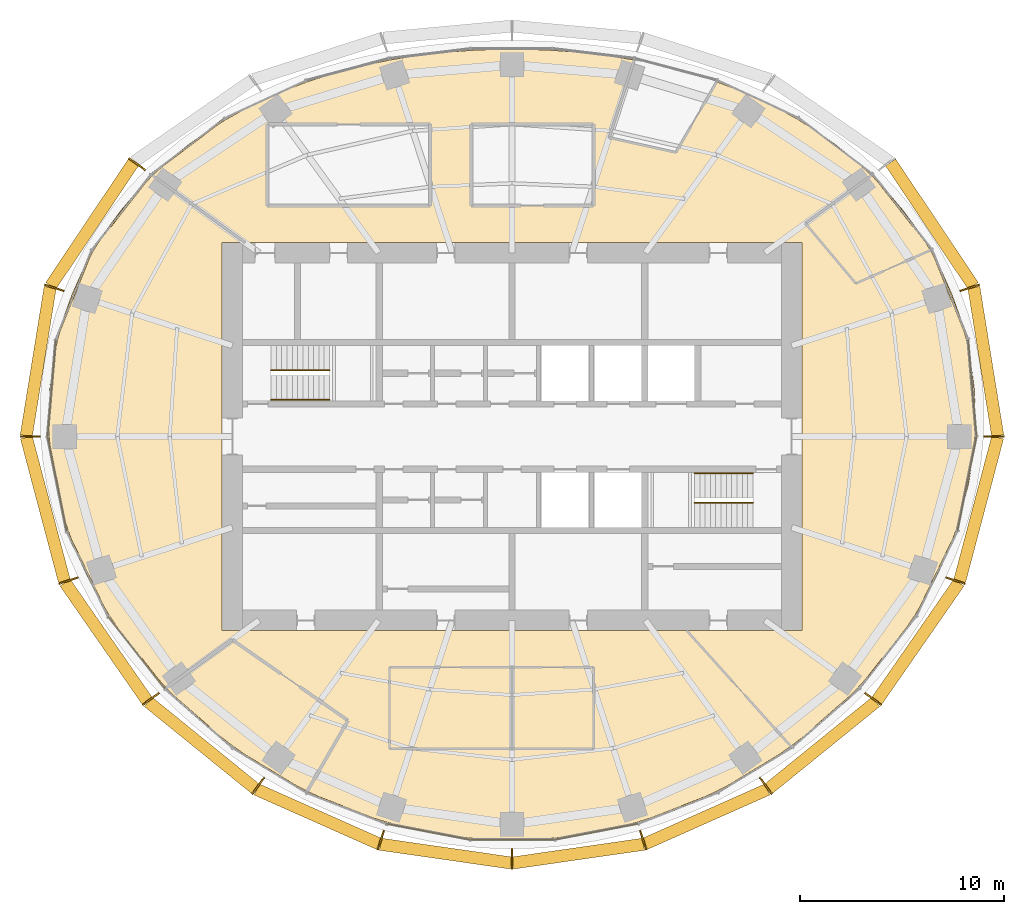
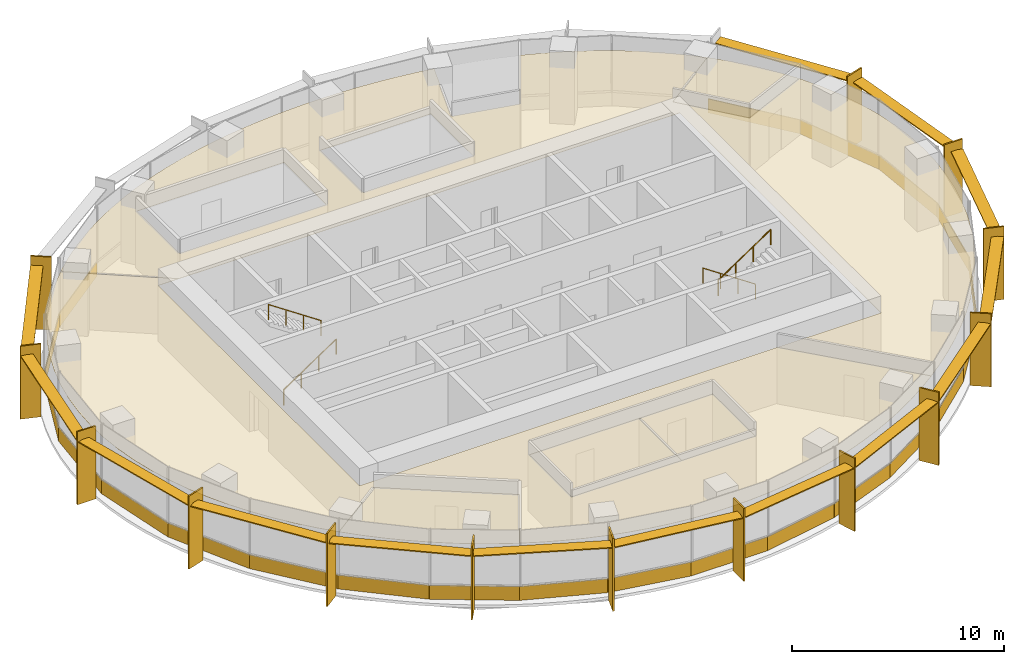
# One storey, part 12 of 13: 28 coverings, 28 shading devices, 4 railings.
"""IFC4 building model written with IfcOpenShell, lengths in metres."""

from ifc_helpers import new_model, si_unit, direction, frame, origin, origin_2d, place, context, subcontext, project, spatial, polyline, rectangle, circle, outline, extrude, material, layer, layer_set, type_object, element, save


model = new_model("IFC4")

# Units and contexts
model_context = context("Model", 3, precision=1e-05, world=origin(), true_north=direction((0.0, 1.0)))
body_context = subcontext(model_context, "Body", "Model", "MODEL_VIEW")
ifc_project = project(units=[si_unit("LENGTHUNIT", "METRE"), si_unit("AREAUNIT", "SQUARE_METRE"), si_unit("VOLUMEUNIT", "CUBIC_METRE"), si_unit("PLANEANGLEUNIT", "RADIAN"), si_unit("MASSUNIT", "GRAM", prefix="KILO")], contexts=[model_context])

# Site, building, storey
site_placement = place(None, origin())
site = spatial("IfcSite", under=ifc_project, at=site_placement, CompositionType="ELEMENT")
building_placement = place(site_placement, origin())
building = spatial("IfcBuilding", under=site, at=building_placement, Name="Marramba Exchange Tower", CompositionType="ELEMENT")
storey_placement = place(building_placement, frame((0.0, 0.0, 268.60009765625)))
storey = spatial("IfcBuildingStorey", under=building, at=storey_placement, Name="L65", CompositionType="ELEMENT", Elevation=268.60009765625)

# Shading devices
ifc_material_1 = material(Name="Aluminium blade, timber-look bronze finish", Category="wood")
ifc_layer_1 = layer(ifc_material_1, 0.080078125)
ifc_layer_set_1 = layer_set([ifc_layer_1], Name="Floor-edge blade 1000x80")
shading_device_type_1 = type_object("IfcShadingDeviceType", Name="Floor-edge blade 1000x80", PredefinedType="USERDEFINED", material=ifc_layer_set_1)
for number, where, z_axis, x_axis, name in (
    (1, (23.60009765625, 0.0, -0.16015625), (0.0, 0.0, 1.0), (1.0, 0.0, 0.0), "Floor-edge blade FB1 L65 TC01"),
    (2, (22.425048828125, 7.286376953125, -0.16015625), (0.0, 0.0, 1.0), (0.951056516295, 0.309016994375, 0.0), "Floor-edge blade FB1 L65 TC02"),
    (3, (-18.361083984375, 13.340087890625, -0.16015625), (0.0, 0.0, 1.0), (-0.809016994375, 0.587785252292, 0.0), "Floor-edge blade FB1 L65 TC09"),
    (4, (-22.425048828125, 7.286376953125, -0.16015625), (0.0, 0.0, 1.0), (-0.951056516295, 0.309016994375, 0.0), "Floor-edge blade FB1 L65 TC10"),
    (5, (-23.60009765625, 0.0, -0.16015625), (0.0, 0.0, 1.0), (-1.0, 0.0, 0.0), "Floor-edge blade FB1 L65 TC11"),
    (6, (-21.72607421875, -7.059326171875, -0.16015625), (0.0, 0.0, 1.0), (-0.951056516295, -0.309016994375, 0.0), "Floor-edge blade FB1 L65 TC12"),
    (7, (-17.690673828125, -12.85302734375, -0.16015625), (0.0, 0.0, 1.0), (-0.809016994375, -0.587785252292, 0.0), "Floor-edge blade FB1 L65 TC13"),
    (8, (-12.4296875, -17.10791015625, -0.16015625), (0.0, 0.0, 1.0), (-0.587785252292, -0.809016994375, 0.0), "Floor-edge blade FB1 L65 TC14"),
    (9, (-6.4248046875, -19.77392578125, -0.16015625), (0.0, 0.0, 1.0), (-0.309016994375, -0.951056516295, 0.0), "Floor-edge blade FB1 L65 TC15"),
    (10, (0.0, -20.696044921875, -0.16015625), (0.0, 0.0, 1.0), (0.0, -1.0, 0.0), "Floor-edge blade FB1 L65 TC16"),
    (11, (6.4248046875, -19.77392578125, -0.16015625), (0.0, 0.0, 1.0), (0.309016994375, -0.951056516295, 0.0), "Floor-edge blade FB1 L65 TC17"),
    (12, (12.4296875, -17.10791015625, -0.16015625), (0.0, 0.0, 1.0), (0.587785252292, -0.809016994375, 0.0), "Floor-edge blade FB1 L65 TC18"),
    (13, (17.690673828125, -12.85302734375, -0.16015625), (0.0, 0.0, 1.0), (0.809016994375, -0.587785252292, 0.0), "Floor-edge blade FB1 L65 TC19"),
    (14, (21.72607421875, -7.059326171875, -0.16015625), (0.0, 0.0, 1.0), (0.951056516295, -0.309016994375, 0.0), "Floor-edge blade FB1 L65 TC20"),
):
    element("IfcShadingDevice", number, at=place(storey_placement, frame(where, z_axis=z_axis, x_axis=x_axis)), inside=storey, type_object=shading_device_type_1, Name=name, ObjectType="FIN", PredefinedType="USERDEFINED", context=body_context, shape_type="SweptSolid", body=[
        extrude(rectangle(XDim=1.0, YDim=0.080078125, at=origin_2d()), origin(), (0.0, 0.0, 1.0), 4.199951171875),
    ])
ifc_material_2 = material(Name="Aluminium sunshade, bronze anodised", Category="aluminium")
ifc_layer_2 = layer(ifc_material_2, 0.06005859375)
ifc_layer_set_2 = layer_set([ifc_layer_2], Name="SUNSHADE blade 600x60")
shading_device_type_2 = type_object("IfcShadingDeviceType", Name="SUNSHADE blade 600x60", PredefinedType="USERDEFINED", material=ifc_layer_set_2)
shading_device_1_placement = place(storey_placement, frame((23.207763671875, 3.674072265625, 3.4599609375), z_axis=(0.0, 0.0, 1.0), x_axis=(-0.159157708434, 0.9872531711, 0.0)))
element("IfcShadingDevice", 15, at=shading_device_1_placement, inside=storey, type_object=shading_device_type_2, Name="Sunshade SS1 L65 bay 01", ObjectType="SUNSHADE", PredefinedType="USERDEFINED", context=body_context, shape_type="SweptSolid", body=[
    extrude(rectangle(XDim=7.363037109375, YDim=0.60009765625, at=origin_2d()), origin(), (0.0, 0.0, 1.0), 0.06005859375),
])
for number, where, z_axis, x_axis, name in (
    (16, (20.569091796875, 10.40283203125, 3.4599609375), (0.0, 0.0, 1.0), (-0.556539553467, 0.830821115179, 0.0), "Sunshade SS1 L65 bay 02"),
    (17, (-20.569091796875, 10.40283203125, 3.4599609375), (0.0, 0.0, 1.0), (-0.556539553467, -0.830821115179, 0.0), "Sunshade SS1 L65 bay 09"),
):
    element("IfcShadingDevice", number, at=place(storey_placement, frame(where, z_axis=z_axis, x_axis=x_axis)), inside=storey, type_object=shading_device_type_2, Name=name, ObjectType="SUNSHADE", PredefinedType="USERDEFINED", context=body_context, shape_type="SweptSolid", body=[
        extrude(rectangle(XDim=7.2734375, YDim=0.60009765625, at=origin_2d()), origin(), (0.0, 0.0, 1.0), 0.06005859375),
    ])
shading_device_2_placement = place(storey_placement, frame((-23.207763671875, 3.674072265625, 3.4599609375), z_axis=(0.0, 0.0, 1.0), x_axis=(-0.159157708434, -0.9872531711, 0.0)))
element("IfcShadingDevice", 18, at=shading_device_2_placement, inside=storey, type_object=shading_device_type_2, Name="Sunshade SS1 L65 bay 10", ObjectType="SUNSHADE", PredefinedType="USERDEFINED", context=body_context, shape_type="SweptSolid", body=[
    extrude(rectangle(XDim=7.363037109375, YDim=0.60009765625, at=origin_2d()), origin(), (0.0, 0.0, 1.0), 0.06005859375),
])
shading_device_3_placement = place(storey_placement, frame((-22.858154296875, -3.560546875, 3.4599609375), z_axis=(0.0, 0.0, 1.0), x_axis=(0.25571852004, -0.966751280583, 0.0)))
element("IfcShadingDevice", 19, at=shading_device_3_placement, inside=storey, type_object=shading_device_type_2, Name="Sunshade SS1 L65 bay 11", ObjectType="SUNSHADE", PredefinedType="USERDEFINED", context=body_context, shape_type="SweptSolid", body=[
    extrude(rectangle(XDim=7.285888671875, YDim=0.60009765625, at=origin_2d()), origin(), (0.0, 0.0, 1.0), 0.06005859375),
])
shading_device_4_placement = place(storey_placement, frame((-19.884521484375, -10.0458984375, 3.4599609375), z_axis=(0.0, 0.0, 1.0), x_axis=(0.570557728211, -0.821257498461, 0.0)))
element("IfcShadingDevice", 20, at=shading_device_4_placement, inside=storey, type_object=shading_device_type_2, Name="Sunshade SS1 L65 bay 12", ObjectType="SUNSHADE", PredefinedType="USERDEFINED", context=body_context, shape_type="SweptSolid", body=[
    extrude(rectangle(XDim=7.042724609375, YDim=0.60009765625, at=origin_2d()), origin(), (0.0, 0.0, 1.0), 0.06005859375),
])
shading_device_5_placement = place(storey_placement, frame((-15.199951171875, -15.1201171875, 3.4599609375), z_axis=(0.0, 0.0, 1.0), x_axis=(0.77692769033, -0.629589837909, 0.0)))
element("IfcShadingDevice", 21, at=shading_device_5_placement, inside=storey, type_object=shading_device_type_2, Name="Sunshade SS1 L65 bay 13", ObjectType="SUNSHADE", PredefinedType="USERDEFINED", context=body_context, shape_type="SweptSolid", body=[
    extrude(rectangle(XDim=6.74853515625, YDim=0.60009765625, at=origin_2d()), origin(), (0.0, 0.0, 1.0), 0.06005859375),
])
shading_device_6_placement = place(storey_placement, frame((-9.51708984375, -18.616943359375, 3.4599609375), z_axis=(0.0, 0.0, 1.0), x_axis=(0.913771139733, -0.406229373864, 0.0)))
element("IfcShadingDevice", 22, at=shading_device_6_placement, inside=storey, type_object=shading_device_type_2, Name="Sunshade SS1 L65 bay 14", ObjectType="SUNSHADE", PredefinedType="USERDEFINED", context=body_context, shape_type="SweptSolid", body=[
    extrude(rectangle(XDim=6.552490234375, YDim=0.60009765625, at=origin_2d()), origin(), (0.0, 0.0, 1.0), 0.06005859375),
])
for number, where, z_axis, x_axis, name in (
    (23, (-3.243408203125, -20.429931640625, 3.4599609375), (0.0, 0.0, 1.0), (0.989836541125, -0.142209781145, 0.0), "Sunshade SS1 L65 bay 15"),
    (24, (3.243408203125, -20.429931640625, 3.4599609375), (0.0, 0.0, 1.0), (0.989836541125, 0.142209781145, 0.0), "Sunshade SS1 L65 bay 16"),
):
    element("IfcShadingDevice", number, at=place(storey_placement, frame(where, z_axis=z_axis, x_axis=x_axis)), inside=storey, type_object=shading_device_type_2, Name=name, ObjectType="SUNSHADE", PredefinedType="USERDEFINED", context=body_context, shape_type="SweptSolid", body=[
        extrude(rectangle(XDim=6.473388671875, YDim=0.60009765625, at=origin_2d()), origin(), (0.0, 0.0, 1.0), 0.06005859375),
    ])
shading_device_7_placement = place(storey_placement, frame((9.51708984375, -18.616943359375, 3.4599609375), z_axis=(0.0, 0.0, 1.0), x_axis=(0.913771139733, 0.406229373864, 0.0)))
element("IfcShadingDevice", 25, at=shading_device_7_placement, inside=storey, type_object=shading_device_type_2, Name="Sunshade SS1 L65 bay 17", ObjectType="SUNSHADE", PredefinedType="USERDEFINED", context=body_context, shape_type="SweptSolid", body=[
    extrude(rectangle(XDim=6.552490234375, YDim=0.60009765625, at=origin_2d()), origin(), (0.0, 0.0, 1.0), 0.06005859375),
])
shading_device_8_placement = place(storey_placement, frame((15.199951171875, -15.1201171875, 3.4599609375), z_axis=(0.0, 0.0, 1.0), x_axis=(0.77692769033, 0.629589837909, 0.0)))
element("IfcShadingDevice", 26, at=shading_device_8_placement, inside=storey, type_object=shading_device_type_2, Name="Sunshade SS1 L65 bay 18", ObjectType="SUNSHADE", PredefinedType="USERDEFINED", context=body_context, shape_type="SweptSolid", body=[
    extrude(rectangle(XDim=6.74853515625, YDim=0.60009765625, at=origin_2d()), origin(), (0.0, 0.0, 1.0), 0.06005859375),
])
shading_device_9_placement = place(storey_placement, frame((19.884521484375, -10.0458984375, 3.4599609375), z_axis=(0.0, 0.0, 1.0), x_axis=(0.570557728211, 0.821257498461, 0.0)))
element("IfcShadingDevice", 27, at=shading_device_9_placement, inside=storey, type_object=shading_device_type_2, Name="Sunshade SS1 L65 bay 19", ObjectType="SUNSHADE", PredefinedType="USERDEFINED", context=body_context, shape_type="SweptSolid", body=[
    extrude(rectangle(XDim=7.042724609375, YDim=0.60009765625, at=origin_2d()), origin(), (0.0, 0.0, 1.0), 0.06005859375),
])
shading_device_10_placement = place(storey_placement, frame((22.858154296875, -3.560546875, 3.4599609375), z_axis=(0.0, 0.0, 1.0), x_axis=(0.25571852004, 0.966751280583, 0.0)))
element("IfcShadingDevice", 28, at=shading_device_10_placement, inside=storey, type_object=shading_device_type_2, Name="Sunshade SS1 L65 bay 20", ObjectType="SUNSHADE", PredefinedType="USERDEFINED", context=body_context, shape_type="SweptSolid", body=[
    extrude(rectangle(XDim=7.285888671875, YDim=0.60009765625, at=origin_2d()), origin(), (0.0, 0.0, 1.0), 0.06005859375),
])

# Coverings
ifc_material_3 = material(Name="Aluminium spandrel panel, bronze anodised, insulated", Category="aluminium")
ifc_layer_3 = layer(ifc_material_3, 0.050048828125)
ifc_layer_set_3 = layer_set([ifc_layer_3], Name="Spandrel panel 800")
covering_type_1 = type_object("IfcCoveringType", Name="Spandrel panel 800", PredefinedType="CLADDING", material=ifc_layer_set_3)
covering_1_placement = place(storey_placement, frame((22.546142578125, 2.37451171875, 0.0), z_axis=(0.0, 0.0, 1.0), x_axis=(-0.085574001482, 0.996331817353, 0.0)))
element("IfcCovering", 29, at=covering_1_placement, inside=storey, type_object=covering_type_1, Name="Spandrel panel SP1 L65 F01", PredefinedType="CLADDING", context=body_context, shape_type="SweptSolid", body=[
    extrude(rectangle(XDim=4.766357421875, YDim=0.050048828125, at=origin_2d()), origin(), (0.0, 0.0, 1.0), 0.800048828125),
])
covering_2_placement = place(storey_placement, frame((21.455810546875, 6.95361328125, 0.0), z_axis=(0.0, 0.0, 1.0), x_axis=(-0.37298308637, 0.927838141748, 0.0)))
element("IfcCovering", 30, at=covering_2_placement, inside=storey, type_object=covering_type_1, Name="Spandrel panel SP1 L65 F02", PredefinedType="CLADDING", context=body_context, shape_type="SweptSolid", body=[
    extrude(rectangle(XDim=4.752197265625, YDim=0.050048828125, at=origin_2d()), origin(), (0.0, 0.0, 1.0), 0.800048828125),
])
covering_3_placement = place(storey_placement, frame((19.12158203125, 10.999267578125, 0.0), z_axis=(0.0, 0.0, 1.0), x_axis=(-0.618222858348, 0.786002860946, 0.0)))
element("IfcCovering", 31, at=covering_3_placement, inside=storey, type_object=covering_type_1, Name="Spandrel panel SP1 L65 F03", PredefinedType="CLADDING", context=body_context, shape_type="SweptSolid", body=[
    extrude(rectangle(XDim=4.684814453125, YDim=0.050048828125, at=origin_2d()), origin(), (0.0, 0.0, 1.0), 0.800048828125),
])
covering_4_placement = place(storey_placement, frame((-15.859375, 14.2197265625, 0.0), z_axis=(0.0, 0.0, 1.0), x_axis=(-0.796058898731, -0.605219158447, 0.0)))
element("IfcCovering", 32, at=covering_4_placement, inside=storey, type_object=covering_type_1, Name="Spandrel panel SP1 L65 F12", PredefinedType="CLADDING", context=body_context, shape_type="SweptSolid", body=[
    extrude(rectangle(XDim=4.5576171875, YDim=0.050048828125, at=origin_2d()), origin(), (0.0, 0.0, 1.0), 0.800048828125),
])
covering_5_placement = place(storey_placement, frame((-19.12158203125, 10.999267578125, 0.0), z_axis=(0.0, 0.0, 1.0), x_axis=(-0.618222858348, -0.786002860946, 0.0)))
element("IfcCovering", 33, at=covering_5_placement, inside=storey, type_object=covering_type_1, Name="Spandrel panel SP1 L65 F13", PredefinedType="CLADDING", context=body_context, shape_type="SweptSolid", body=[
    extrude(rectangle(XDim=4.684814453125, YDim=0.050048828125, at=origin_2d()), origin(), (0.0, 0.0, 1.0), 0.800048828125),
])
covering_6_placement = place(storey_placement, frame((-21.455810546875, 6.95361328125, 0.0), z_axis=(0.0, 0.0, 1.0), x_axis=(-0.37298308637, -0.927838141748, 0.0)))
element("IfcCovering", 34, at=covering_6_placement, inside=storey, type_object=covering_type_1, Name="Spandrel panel SP1 L65 F14", PredefinedType="CLADDING", context=body_context, shape_type="SweptSolid", body=[
    extrude(rectangle(XDim=4.752197265625, YDim=0.050048828125, at=origin_2d()), origin(), (0.0, 0.0, 1.0), 0.800048828125),
])
covering_7_placement = place(storey_placement, frame((-22.546142578125, 2.37451171875, 0.0), z_axis=(0.0, 0.0, 1.0), x_axis=(-0.085574001482, -0.996331817353, 0.0)))
element("IfcCovering", 35, at=covering_7_placement, inside=storey, type_object=covering_type_1, Name="Spandrel panel SP1 L65 F15", PredefinedType="CLADDING", context=body_context, shape_type="SweptSolid", body=[
    extrude(rectangle(XDim=4.766357421875, YDim=0.050048828125, at=origin_2d()), origin(), (0.0, 0.0, 1.0), 0.800048828125),
])
covering_8_placement = place(storey_placement, frame((-22.282470703125, -2.318359375, 0.0), z_axis=(0.0, 0.0, 1.0), x_axis=(0.197670531369, -0.980268514759, 0.0)))
element("IfcCovering", 36, at=covering_8_placement, inside=storey, type_object=covering_type_1, Name="Spandrel panel SP1 L65 F16", PredefinedType="CLADDING", context=body_context, shape_type="SweptSolid", body=[
    extrude(rectangle(XDim=4.730224609375, YDim=0.050048828125, at=origin_2d()), origin(), (0.0, 0.0, 1.0), 0.800048828125),
])
covering_9_placement = place(storey_placement, frame((-20.802490234375, -6.723876953125, 0.0), z_axis=(0.0, 0.0, 1.0), x_axis=(0.436514592932, -0.89969717692, 0.0)))
element("IfcCovering", 37, at=covering_9_placement, inside=storey, type_object=covering_type_1, Name="Spandrel panel SP1 L65 F17", PredefinedType="CLADDING", context=body_context, shape_type="SweptSolid", body=[
    extrude(rectangle(XDim=4.639404296875, YDim=0.050048828125, at=origin_2d()), origin(), (0.0, 0.0, 1.0), 0.800048828125),
])
covering_10_placement = place(storey_placement, frame((-18.396484375, -10.582275390625, 0.0), z_axis=(0.0, 0.0, 1.0), x_axis=(0.618290638357, -0.785949544513, 0.0)))
element("IfcCovering", 38, at=covering_10_placement, inside=storey, type_object=covering_type_1, Name="Spandrel panel SP1 L65 F18", PredefinedType="CLADDING", context=body_context, shape_type="SweptSolid", body=[
    extrude(rectangle(XDim=4.50732421875, YDim=0.050048828125, at=origin_2d()), origin(), (0.0, 0.0, 1.0), 0.800048828125),
])
covering_11_placement = place(storey_placement, frame((-15.358154296875, -13.791748046875, 0.0), z_axis=(0.0, 0.0, 1.0), x_axis=(0.752751054625, -0.658305286141, 0.0)))
element("IfcCovering", 39, at=covering_11_placement, inside=storey, type_object=covering_type_1, Name="Spandrel panel SP1 L65 F19", PredefinedType="CLADDING", context=body_context, shape_type="SweptSolid", body=[
    extrude(rectangle(XDim=4.3701171875, YDim=0.050048828125, at=origin_2d()), origin(), (0.0, 0.0, 1.0), 0.800048828125),
])
covering_12_placement = place(storey_placement, frame((-11.89208984375, -16.336669921875, 0.0), z_axis=(0.0, 0.0, 1.0), x_axis=(0.854704332048, -0.519115117077, 0.0)))
element("IfcCovering", 40, at=covering_12_placement, inside=storey, type_object=covering_type_1, Name="Spandrel panel SP1 L65 F20", PredefinedType="CLADDING", context=body_context, shape_type="SweptSolid", body=[
    extrude(rectangle(XDim=4.261962890625, YDim=0.050048828125, at=origin_2d()), origin(), (0.0, 0.0, 1.0), 0.800048828125),
])
covering_13_placement = place(storey_placement, frame((-8.116455078125, -18.2041015625, 0.0), z_axis=(0.0, 0.0, 1.0), x_axis=(0.931785135173, -0.363010277914, 0.0)))
element("IfcCovering", 41, at=covering_13_placement, inside=storey, type_object=covering_type_1, Name="Spandrel panel SP1 L65 F21", PredefinedType="CLADDING", context=body_context, shape_type="SweptSolid", body=[
    extrude(rectangle(XDim=4.194580078125, YDim=0.050048828125, at=origin_2d()), origin(), (0.0, 0.0, 1.0), 0.800048828125),
])
covering_14_placement = place(storey_placement, frame((-4.118896484375, -19.356201171875, 0.0), z_axis=(0.0, 0.0, 1.0), x_axis=(0.982193292652, -0.187873190928, 0.0)))
element("IfcCovering", 42, at=covering_14_placement, inside=storey, type_object=covering_type_1, Name="Spandrel panel SP1 L65 F22", PredefinedType="CLADDING", context=body_context, shape_type="SweptSolid", body=[
    extrude(rectangle(XDim=4.160888671875, YDim=0.050048828125, at=origin_2d()), origin(), (0.0, 0.0, 1.0), 0.800048828125),
])
covering_15_placement = place(storey_placement, frame((0.0, -19.7470703125, 0.0), z_axis=(0.0, 0.0, 1.0), x_axis=(1.0, 0.0, 0.0)))
element("IfcCovering", 43, at=covering_15_placement, inside=storey, type_object=covering_type_1, Name="Spandrel panel SP1 L65 F23", PredefinedType="CLADDING", context=body_context, shape_type="SweptSolid", body=[
    extrude(rectangle(XDim=4.151123046875, YDim=0.050048828125, at=origin_2d()), origin(), (0.0, 0.0, 1.0), 0.800048828125),
])
covering_16_placement = place(storey_placement, frame((4.118896484375, -19.356201171875, 0.0), z_axis=(0.0, 0.0, 1.0), x_axis=(0.982193292652, 0.187873190928, 0.0)))
element("IfcCovering", 44, at=covering_16_placement, inside=storey, type_object=covering_type_1, Name="Spandrel panel SP1 L65 F24", PredefinedType="CLADDING", context=body_context, shape_type="SweptSolid", body=[
    extrude(rectangle(XDim=4.160888671875, YDim=0.050048828125, at=origin_2d()), origin(), (0.0, 0.0, 1.0), 0.800048828125),
])
covering_17_placement = place(storey_placement, frame((8.116455078125, -18.2041015625, 0.0), z_axis=(0.0, 0.0, 1.0), x_axis=(0.931785135173, 0.363010277914, 0.0)))
element("IfcCovering", 45, at=covering_17_placement, inside=storey, type_object=covering_type_1, Name="Spandrel panel SP1 L65 F25", PredefinedType="CLADDING", context=body_context, shape_type="SweptSolid", body=[
    extrude(rectangle(XDim=4.194580078125, YDim=0.050048828125, at=origin_2d()), origin(), (0.0, 0.0, 1.0), 0.800048828125),
])
covering_18_placement = place(storey_placement, frame((11.89208984375, -16.336669921875, 0.0), z_axis=(0.0, 0.0, 1.0), x_axis=(0.854704332048, 0.519115117077, 0.0)))
element("IfcCovering", 46, at=covering_18_placement, inside=storey, type_object=covering_type_1, Name="Spandrel panel SP1 L65 F26", PredefinedType="CLADDING", context=body_context, shape_type="SweptSolid", body=[
    extrude(rectangle(XDim=4.261962890625, YDim=0.050048828125, at=origin_2d()), origin(), (0.0, 0.0, 1.0), 0.800048828125),
])
covering_19_placement = place(storey_placement, frame((15.358154296875, -13.791748046875, 0.0), z_axis=(0.0, 0.0, 1.0), x_axis=(0.752751054625, 0.658305286141, 0.0)))
element("IfcCovering", 47, at=covering_19_placement, inside=storey, type_object=covering_type_1, Name="Spandrel panel SP1 L65 F27", PredefinedType="CLADDING", context=body_context, shape_type="SweptSolid", body=[
    extrude(rectangle(XDim=4.3701171875, YDim=0.050048828125, at=origin_2d()), origin(), (0.0, 0.0, 1.0), 0.800048828125),
])
covering_20_placement = place(storey_placement, frame((18.396484375, -10.582275390625, 0.0), z_axis=(0.0, 0.0, 1.0), x_axis=(0.618290638357, 0.785949544513, 0.0)))
element("IfcCovering", 48, at=covering_20_placement, inside=storey, type_object=covering_type_1, Name="Spandrel panel SP1 L65 F28", PredefinedType="CLADDING", context=body_context, shape_type="SweptSolid", body=[
    extrude(rectangle(XDim=4.50732421875, YDim=0.050048828125, at=origin_2d()), origin(), (0.0, 0.0, 1.0), 0.800048828125),
])
covering_21_placement = place(storey_placement, frame((20.802490234375, -6.723876953125, 0.0), z_axis=(0.0, 0.0, 1.0), x_axis=(0.436514592932, 0.89969717692, 0.0)))
element("IfcCovering", 49, at=covering_21_placement, inside=storey, type_object=covering_type_1, Name="Spandrel panel SP1 L65 F29", PredefinedType="CLADDING", context=body_context, shape_type="SweptSolid", body=[
    extrude(rectangle(XDim=4.639404296875, YDim=0.050048828125, at=origin_2d()), origin(), (0.0, 0.0, 1.0), 0.800048828125),
])
covering_22_placement = place(storey_placement, frame((22.282470703125, -2.318359375, 0.0), z_axis=(0.0, 0.0, 1.0), x_axis=(0.197670531369, 0.980268514759, 0.0)))
element("IfcCovering", 50, at=covering_22_placement, inside=storey, type_object=covering_type_1, Name="Spandrel panel SP1 L65 F30", PredefinedType="CLADDING", context=body_context, shape_type="SweptSolid", body=[
    extrude(rectangle(XDim=4.730224609375, YDim=0.050048828125, at=origin_2d()), origin(), (0.0, 0.0, 1.0), 0.800048828125),
])

# Railings
ifc_material_4 = material(Name="Stainless steel handrail", Category="steel")
railing_type = type_object("IfcRailingType", Name="Stair handrail 900", PredefinedType="HANDRAIL", material=ifc_material_4)
railing_1_placement = place(storey_placement, frame((-11.800048828125, 1.800048828125, 0.1748046875)))
element("IfcRailing", 51, at=railing_1_placement, inside=storey, type_object=railing_type, Name="Handrail HR1 ST1 L65 flight 1", PredefinedType="HANDRAIL", context=body_context, shape_type="SweptSolid", body=[
    extrude(circle(Radius=0.02392578125, at=origin_2d()), frame((0.0, 0.0, 0.8759765625), z_axis=(0.829590901723, 0.0, 0.558371682465), x_axis=(0.0, 1.0, 0.0)), (0.0, 0.0, 1.0), 3.447509765625),
    extrude(circle(Radius=0.02099609375, at=origin_2d()), origin(), (0.0, 0.0, 1.0), 0.851806640625),
    extrude(circle(Radius=0.02099609375, at=origin_2d()), frame((0.953369140625, 0.0, 0.6416015625)), (0.0, 0.0, 1.0), 0.851806640625),
    extrude(circle(Radius=0.02099609375, at=origin_2d()), frame((1.90673828125, 0.0, 1.283447265625)), (0.0, 0.0, 1.0), 0.851806640625),
    extrude(circle(Radius=0.02099609375, at=origin_2d()), frame((2.860107421875, 0.0, 1.925048828125)), (0.0, 0.0, 1.0), 0.851806640625),
])
for number, where, name in (
    (52, (-8.93994140625, 3.25, 2.27490234375), "Handrail HR1 ST1 L65 flight 2"),
    (53, (11.800048828125, -1.800048828125, 0.1748046875), "Handrail HR1 ST2 L65 flight 1"),
):
    element("IfcRailing", number, at=place(storey_placement, frame(where)), inside=storey, type_object=railing_type, Name=name, PredefinedType="HANDRAIL", context=body_context, shape_type="SweptSolid", body=[
        extrude(circle(Radius=0.02392578125, at=origin_2d()), frame((0.0, 0.0, 0.8759765625), z_axis=(-0.829590901723, 0.0, 0.558371682465), x_axis=(0.0, -1.0, 0.0)), (0.0, 0.0, 1.0), 3.447509765625),
        extrude(circle(Radius=0.02099609375, at=origin_2d()), origin(), (0.0, 0.0, 1.0), 0.851806640625),
        extrude(circle(Radius=0.02099609375, at=origin_2d()), frame((-0.953369140625, 0.0, 0.6416015625)), (0.0, 0.0, 1.0), 0.851806640625),
        extrude(circle(Radius=0.02099609375, at=origin_2d()), frame((-1.90673828125, 0.0, 1.283447265625)), (0.0, 0.0, 1.0), 0.851806640625),
        extrude(circle(Radius=0.02099609375, at=origin_2d()), frame((-2.860107421875, 0.0, 1.925048828125)), (0.0, 0.0, 1.0), 0.851806640625),
    ])
railing_2_placement = place(storey_placement, frame((8.93994140625, -3.25, 2.27490234375)))
element("IfcRailing", 54, at=railing_2_placement, inside=storey, type_object=railing_type, Name="Handrail HR1 ST2 L65 flight 2", PredefinedType="HANDRAIL", context=body_context, shape_type="SweptSolid", body=[
    extrude(circle(Radius=0.02392578125, at=origin_2d()), frame((0.0, 0.0, 0.8759765625), z_axis=(0.829590901723, 0.0, 0.558371682465), x_axis=(0.0, 1.0, 0.0)), (0.0, 0.0, 1.0), 3.447509765625),
    extrude(circle(Radius=0.02099609375, at=origin_2d()), origin(), (0.0, 0.0, 1.0), 0.851806640625),
    extrude(circle(Radius=0.02099609375, at=origin_2d()), frame((0.953369140625, 0.0, 0.6416015625)), (0.0, 0.0, 1.0), 0.851806640625),
    extrude(circle(Radius=0.02099609375, at=origin_2d()), frame((1.90673828125, 0.0, 1.283447265625)), (0.0, 0.0, 1.0), 0.851806640625),
    extrude(circle(Radius=0.02099609375, at=origin_2d()), frame((2.860107421875, 0.0, 1.925048828125)), (0.0, 0.0, 1.0), 0.851806640625),
])

# Coverings
ifc_material_5 = material(Name="Mineral fibre ceiling tiles", Category="gypsum")
ifc_layer_4 = layer(ifc_material_5, 0.02001953125)
ifc_layer_set_4 = layer_set([ifc_layer_4], Name="Suspended ceiling 20")
covering_type_2 = type_object("IfcCoveringType", Name="Suspended ceiling 20", PredefinedType="CEILING", material=ifc_layer_set_4)
covering_23_placement = place(storey_placement, frame((0.0, 0.0, 3.199951171875)))
element("IfcCovering", 55, at=covering_23_placement, inside=storey, type_object=covering_type_2, Name="Ceiling CL1 L65 Chief Executive Support Office", PredefinedType="CEILING", context=body_context, shape_type="SweptSolid", body=[
    extrude(outline(polyline([(14.199951171875, 9.5), (-13.07568359375, 9.5), (-17.608642578125, 12.79345703125), (-16.756591796875, 13.569091796875), (-15.865478515625, 14.285400390625), (-14.94189453125, 14.94189453125), (-13.99169921875, 15.539306640625), (-13.020751953125, 16.079345703125), (-12.033935546875, 16.563232421875), (-11.035888671875, 16.993896484375), (-10.030517578125, 17.37353515625), (-9.021240234375, 17.705078125), (-8.010498046875, 17.99169921875), (-7.0, 18.23583984375), (-5.99169921875, 18.44091796875), (-4.986328125, 18.609375), (-3.984130859375, 18.74365234375), (-2.98486328125, 18.845703125), (-1.98828125, 18.91748046875), (-0.99365234375, 18.9599609375), (0.0, 18.97412109375), (0.99365234375, 18.9599609375), (1.98828125, 18.91748046875), (2.98486328125, 18.845703125), (3.984130859375, 18.74365234375), (4.986328125, 18.609375), (5.99169921875, 18.44091796875), (4.755615234375, 14.63671875), (8.030517578125, 13.909423828125), (10.030517578125, 17.37353515625), (11.035888671875, 16.993896484375), (12.033935546875, 16.563232421875), (13.020751953125, 16.079345703125), (13.99169921875, 15.539306640625), (14.94189453125, 14.94189453125), (15.865478515625, 14.285400390625), (16.756591796875, 13.569091796875), (17.608642578125, 12.79345703125), (14.37255859375, 10.4423828125), (16.84228515625, 7.498779296875), (20.49658203125, 9.125732421875), (21.056640625, 8.0830078125), (21.540771484375, 6.9990234375), (21.9443359375, 5.8798828125), (22.263916015625, 4.732421875), (22.4970703125, 3.563232421875), (22.642333984375, 2.3798828125), (22.69970703125, 1.189697265625), (22.669921875, 0.0), (22.555419921875, -1.18212890625), (22.35888671875, -2.35009765625), (22.08447265625, -3.497802734375), (21.73681640625, -4.620361328125), (21.32080078125, -5.712890625), (20.841796875, -6.77197265625), (20.305419921875, -7.79443359375), (19.716796875, -8.7783203125), (19.081298828125, -9.722412109375), (18.403564453125, -10.625244140625), (17.68798828125, -11.48681640625), (16.938232421875, -12.306396484375), (16.158203125, -13.08447265625), (15.35009765625, -13.8212890625), (14.5166015625, -14.5166015625), (13.659912109375, -15.1708984375), (8.5537109375, -9.5), (14.199951171875, -9.5), (14.199951171875, 9.5)]), holes=[polyline([(-2.0, 11.300048828125), (4.0, 11.300048828125), (4.0, 15.300048828125), (-2.0, 15.300048828125), (-2.0, 11.300048828125)]), polyline([(-12.0, 11.300048828125), (-4.0, 11.300048828125), (-4.0, 15.300048828125), (-12.0, 15.300048828125), (-12.0, 11.300048828125)])]), origin(), (0.0, 0.0, 1.0), 0.02001953125),
])
covering_24_placement = place(storey_placement, frame((0.0, 0.0, 3.199951171875)))
element("IfcCovering", 56, at=covering_24_placement, inside=storey, type_object=covering_type_2, Name="Ceiling CL1 L65 Company Secretariat Office", PredefinedType="CEILING", context=body_context, shape_type="SweptSolid", body=[
    extrude(outline(polyline([(-14.199951171875, -9.5), (8.5537109375, -9.5), (10.764404296875, -11.955078125), (13.659912109375, -15.1708984375), (12.781494140625, -15.783935546875), (11.883056640625, -16.355712890625), (10.9658203125, -16.885498046875), (10.030517578125, -17.37353515625), (9.0791015625, -17.818603515625), (8.1123046875, -18.22021484375), (7.131103515625, -18.577392578125), (6.137451171875, -18.889404296875), (5.132568359375, -19.155029296875), (4.1181640625, -19.373779296875), (3.095703125, -19.544921875), (2.067138671875, -19.66748046875), (1.03466796875, -19.741455078125), (0.0, -19.76611328125), (-1.03466796875, -19.741455078125), (-2.067138671875, -19.66748046875), (-3.095703125, -19.544921875), (-4.1181640625, -19.373779296875), (-5.132568359375, -19.155029296875), (-6.137451171875, -18.889404296875), (-7.131103515625, -18.577392578125), (-8.1123046875, -18.22021484375), (-9.0791015625, -17.818603515625), (-10.030517578125, -17.37353515625), (-8.030517578125, -13.909423828125), (-13.7021484375, -9.955322265625), (-16.938232421875, -12.306396484375), (-17.68798828125, -11.48681640625), (-18.403564453125, -10.625244140625), (-19.081298828125, -9.722412109375), (-19.716796875, -8.7783203125), (-20.305419921875, -7.79443359375), (-20.841796875, -6.77197265625), (-21.32080078125, -5.712890625), (-21.73681640625, -4.620361328125), (-22.08447265625, -3.497802734375), (-22.35888671875, -2.35009765625), (-22.555419921875, -1.18212890625), (-22.669921875, 0.0), (-22.69970703125, 1.189697265625), (-22.642333984375, 2.3798828125), (-22.4970703125, 3.563232421875), (-22.263916015625, 4.732421875), (-21.9443359375, 5.8798828125), (-21.540771484375, 6.9990234375), (-21.056640625, 8.0830078125), (-20.49658203125, 9.125732421875), (-19.86572265625, 10.1220703125), (-19.169921875, 11.067626953125), (-18.415283203125, 11.958984375), (-17.608642578125, 12.79345703125), (-14.10986328125, 10.25146484375), (-13.07568359375, 9.5), (-14.199951171875, 9.5), (-14.199951171875, -9.5)]), holes=[polyline([(-6.0, -15.300048828125), (0.0, -15.300048828125), (4.0, -15.300048828125), (4.0, -11.300048828125), (0.0, -11.300048828125), (-6.0, -11.300048828125), (-6.0, -15.300048828125)])]), origin(), (0.0, 0.0, 1.0), 0.02001953125),
])
covering_25_placement = place(storey_placement, frame((0.0, 0.0, 3.199951171875)))
element("IfcCovering", 57, at=covering_25_placement, inside=storey, type_object=covering_type_2, Name="Ceiling CL1 L65 Executive Office 2", PredefinedType="CEILING", context=body_context, shape_type="SweptSolid", body=[
    extrude(outline(polyline([(17.793701171875, 12.60205078125), (18.415283203125, 11.958984375), (18.61181640625, 11.726806640625), (19.169921875, 11.067626953125), (19.562744140625, 10.53369140625), (19.86572265625, 10.1220703125), (20.49658203125, 9.125732421875), (16.84228515625, 7.498779296875), (14.37255859375, 10.4423828125), (17.608642578125, 12.79345703125), (17.793701171875, 12.60205078125)])), origin(), (0.0, 0.0, 1.0), 0.02001953125),
])
covering_26_placement = place(storey_placement, frame((0.0, 0.0, 3.199951171875)))
element("IfcCovering", 58, at=covering_26_placement, inside=storey, type_object=covering_type_2, Name="Ceiling CL1 L65 Boardroom", PredefinedType="CEILING", context=body_context, shape_type="SweptSolid", body=[
    extrude(outline(polyline([(-10.927490234375, -16.905517578125), (-10.9658203125, -16.885498046875), (-11.883056640625, -16.355712890625), (-11.947509765625, -16.314697265625), (-12.781494140625, -15.783935546875), (-13.659912109375, -15.1708984375), (-14.5166015625, -14.5166015625), (-15.35009765625, -13.8212890625), (-16.158203125, -13.08447265625), (-16.216796875, -13.02587890625), (-16.938232421875, -12.306396484375), (-13.7021484375, -9.955322265625), (-8.030517578125, -13.909423828125), (-10.030517578125, -17.37353515625), (-10.927490234375, -16.905517578125)])), origin(), (0.0, 0.0, 1.0), 0.02001953125),
])
covering_27_placement = place(storey_placement, frame((0.0, 0.0, 3.199951171875)))
element("IfcCovering", 59, at=covering_27_placement, inside=storey, type_object=covering_type_2, Name="Ceiling CL1 L65 Pantry", PredefinedType="CEILING", context=body_context, shape_type="SweptSolid", body=[
    extrude(outline(polyline([(0.0, -15.300048828125), (-6.0, -15.300048828125), (-6.0, -11.300048828125), (0.0, -11.300048828125), (0.0, -15.300048828125)])), origin(), (0.0, 0.0, 1.0), 0.02001953125),
])
covering_28_placement = place(storey_placement, frame((0.0, 0.0, 3.199951171875)))
element("IfcCovering", 60, at=covering_28_placement, inside=storey, type_object=covering_type_2, Name="Ceiling CL1 L65 Print Room", PredefinedType="CEILING", context=body_context, shape_type="SweptSolid", body=[
    extrude(outline(polyline([(4.0, -15.300048828125), (0.0, -15.300048828125), (0.0, -11.300048828125), (4.0, -11.300048828125), (4.0, -15.300048828125)])), origin(), (0.0, 0.0, 1.0), 0.02001953125),
])

save(model, "model.ifc")
